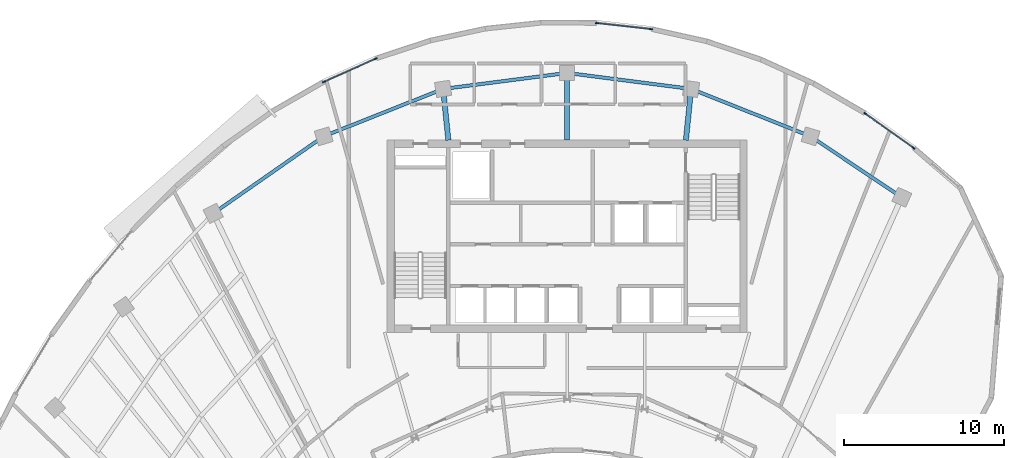
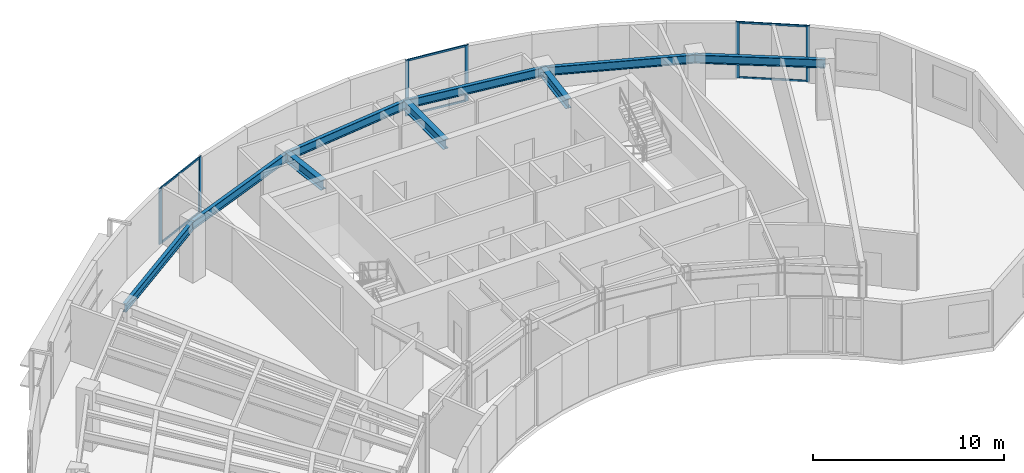
# One storey, part 4 of 12: 12 members, 9 beams, 3 elements without a shape of their own.
"""IFC4 building model written with IfcOpenShell, lengths in metres."""

from ifc_helpers import new_model, si_unit, direction, frame, origin, origin_2d, place, context, subcontext, project, spatial, rectangle, i_section, extrude, source, transform, mapped, material, layer, layer_set, material_profile, profile_set, type_object, element, aggregate, save


model = new_model("IFC4")

# Units and contexts
model_context = context("Model", 3, precision=1e-05, world=origin(), true_north=direction((0.0, 1.0)))
body_context = subcontext(model_context, "Body", "Model", "MODEL_VIEW")
ifc_project = project(units=[si_unit("LENGTHUNIT", "METRE"), si_unit("AREAUNIT", "SQUARE_METRE"), si_unit("VOLUMEUNIT", "CUBIC_METRE"), si_unit("PLANEANGLEUNIT", "RADIAN"), si_unit("MASSUNIT", "GRAM", prefix="KILO")], contexts=[model_context])

# Site, building, storey
site_placement = place(None, origin())
site = spatial("IfcSite", under=ifc_project, at=site_placement, CompositionType="ELEMENT")
building_placement = place(site_placement, origin())
building = spatial("IfcBuilding", under=site, at=building_placement, Name="Breltana Convention Tower", CompositionType="ELEMENT")
storey_placement = place(building_placement, frame((0.0, 0.0, 250.800048828125)))
storey = spatial("IfcBuildingStorey", under=building, at=storey_placement, Name="L61", CompositionType="ELEMENT", Elevation=250.800048828125)

# Beams
ifc_material_1 = material(Name="Steel ASTM A992 Grade 50", Category="steel")
ifc_material_profile_1 = material_profile(ifc_material_1, i_section(OverallWidth=0.326904296875, OverallDepth=0.6220703125, WebThickness=0.015380859375, FlangeThickness=0.0244140625, at=origin_2d()), Name="W24X131")
ifc_profile_set_1 = profile_set([ifc_material_profile_1], Name="Steel ASTM A992 Grade 50")
beam_type_1 = type_object("IfcBeamType", Name="BM-RG-W24X131", PredefinedType="USERDEFINED", material=ifc_profile_set_1)
shared_shape_1 = source(origin(), body_context, "Body", "SweptSolid", [
    extrude(i_section(OverallWidth=0.326904296875, OverallDepth=0.6220703125, WebThickness=0.015380859375, FlangeThickness=0.0244140625, at=origin_2d()), origin(), (0.0, 0.0, 1.0), 3.220947265625),
])
for number, where, z_axis, x_axis, name in (
    (1, (40.580078125, 72.199951171875, 3.26904296875), (-0.101492254858, 0.994836329355, 0.0), (-0.994836329355, -0.101492254858, 0.0), "L61 North Core Radial Girder R05"),
    (2, (55.419921875, 72.199951171875, 3.26904296875), (0.101492254858, 0.994836329355, 0.0), (-0.994836329355, 0.101492254858, 0.0), "L61 North Core Radial Girder R07"),
):
    element("IfcBeam", number, at=place(storey_placement, frame(where, z_axis=z_axis, x_axis=x_axis)), inside=storey, type_object=beam_type_1, Name=name, ObjectType="GIRDER", PredefinedType="USERDEFINED", context=body_context, shape_type="MappedRepresentation", body=[
        mapped(shared_shape_1, transform((0.0, 0.0, 0.0), scale=1.0)),
    ])
shared_shape_2 = source(origin(), body_context, "Body", "SweptSolid", [
    extrude(i_section(OverallWidth=0.326904296875, OverallDepth=0.6220703125, WebThickness=0.015380859375, FlangeThickness=0.0244140625, at=origin_2d()), origin(), (0.0, 0.0, 1.0), 4.2041015625),
])
beam_1_placement = place(storey_placement, frame((48.0, 72.199951171875, 3.26904296875), z_axis=(0.0, 1.0, 0.0), x_axis=(-1.0, 0.0, 0.0)))
element("IfcBeam", 3, at=beam_1_placement, inside=storey, type_object=beam_type_1, Name="L61 North Core Radial Girder R06", ObjectType="GIRDER", PredefinedType="USERDEFINED", context=body_context, shape_type="MappedRepresentation", body=[
    mapped(shared_shape_2, transform((0.0, 0.0, 0.0), scale=1.0)),
])
ifc_material_profile_2 = material_profile(ifc_material_1, i_section(OverallWidth=0.214111328125, OverallDepth=0.549072265625, WebThickness=0.0146484375, FlangeThickness=0.023681640625, at=origin_2d()), Name="W21X93")
ifc_profile_set_2 = profile_set([ifc_material_profile_2], Name="Steel ASTM A992 Grade 50")
beam_type_2 = type_object("IfcBeamType", Name="BM-SP-W21X93", PredefinedType="SPANDREL", material=ifc_profile_set_2)
shared_shape_3 = source(origin(), body_context, "Body", "SweptSolid", [
    extrude(i_section(OverallWidth=0.214111328125, OverallDepth=0.549072265625, WebThickness=0.0146484375, FlangeThickness=0.023681640625, at=origin_2d()), origin(), (0.0, 0.0, 1.0), 8.4169921875),
])
beam_2_placement = place(storey_placement, frame((25.8876953125, 67.626953125, 3.305419921875), z_axis=(0.820173800102, 0.572114444519, 0.0), x_axis=(-0.572114444519, 0.820173800102, 0.0)))
element("IfcBeam", 4, at=beam_2_placement, inside=storey, type_object=beam_type_2, Name="L61 Outer Spandrel Beam 03", PredefinedType="SPANDREL", context=body_context, shape_type="MappedRepresentation", body=[
    mapped(shared_shape_3, transform((0.0, 0.0, 0.0), scale=1.0)),
])
shared_shape_4 = source(origin(), body_context, "Body", "SweptSolid", [
    extrude(i_section(OverallWidth=0.214111328125, OverallDepth=0.549072265625, WebThickness=0.0146484375, FlangeThickness=0.023681640625, at=origin_2d()), origin(), (0.0, 0.0, 1.0), 8.028564453125),
])
for number, where, z_axis, x_axis, name in (
    (5, (32.791015625, 72.4423828125, 3.305419921875), (0.929459100394, 0.368925169507, 0.0), (-0.368925169507, 0.929459100394, 0.0), "L61 Outer Spandrel Beam 04"),
    (6, (55.746826171875, 75.404296875, 3.305419921875), (0.929459100394, -0.368925169507, 0.0), (0.368925169507, 0.929459100394, 0.0), "L61 Outer Spandrel Beam 07"),
):
    element("IfcBeam", number, at=place(storey_placement, frame(where, z_axis=z_axis, x_axis=x_axis)), inside=storey, type_object=beam_type_2, Name=name, PredefinedType="SPANDREL", context=body_context, shape_type="MappedRepresentation", body=[
        mapped(shared_shape_4, transform((0.0, 0.0, 0.0), scale=1.0)),
    ])
shared_shape_5 = source(origin(), body_context, "Body", "SweptSolid", [
    extrude(i_section(OverallWidth=0.214111328125, OverallDepth=0.549072265625, WebThickness=0.0146484375, FlangeThickness=0.023681640625, at=origin_2d()), origin(), (0.0, 0.0, 1.0), 7.81103515625),
])
for number, where, z_axis, x_axis, name in (
    (7, (40.253173828125, 75.404296875, 3.305419921875), (0.991775179127, 0.127992164083, 0.0), (-0.127992164083, 0.991775179127, 0.0), "L61 Outer Spandrel Beam 05"),
    (8, (48.0, 76.404052734375, 3.305419921875), (0.991775179127, -0.127992164083, 0.0), (0.127992164083, 0.991775179127, 0.0), "L61 Outer Spandrel Beam 06"),
):
    element("IfcBeam", number, at=place(storey_placement, frame(where, z_axis=z_axis, x_axis=x_axis)), inside=storey, type_object=beam_type_2, Name=name, PredefinedType="SPANDREL", context=body_context, shape_type="MappedRepresentation", body=[
        mapped(shared_shape_5, transform((0.0, 0.0, 0.0), scale=1.0)),
    ])
shared_shape_6 = source(origin(), body_context, "Body", "SweptSolid", [
    extrude(i_section(OverallWidth=0.214111328125, OverallDepth=0.549072265625, WebThickness=0.0146484375, FlangeThickness=0.023681640625, at=origin_2d()), origin(), (0.0, 0.0, 1.0), 6.856689453125),
])
beam_3_placement = place(storey_placement, frame((63.208984375, 72.4423828125, 3.305419921875), z_axis=(0.83150210718, -0.55552159792, 0.0), x_axis=(0.55552159792, 0.83150210718, 0.0)))
element("IfcBeam", 9, at=beam_3_placement, inside=storey, type_object=beam_type_2, Name="L61 Outer Spandrel Beam 08", PredefinedType="SPANDREL", context=body_context, shape_type="MappedRepresentation", body=[
    mapped(shared_shape_6, transform((0.0, 0.0, 0.0), scale=1.0)),
])

# Curtain wall, members
ifc_material_2 = material(Name="Aluminium Anodised Bronze Frame", Category="aluminium")
ifc_layer = layer(ifc_material_2, 0.219970703125, Name="Aluminium Anodised Bronze Frame")
ifc_layer_set = layer_set([ifc_layer], Name="Aluminium Anodised Bronze Frame")
curtain_wall_type = type_object("IfcCurtainWallType", Name="CW-SYS-4", PredefinedType="NOTDEFINED", material=ifc_layer_set)
curtain_wall_1_placement = place(storey_placement, origin())
curtain_wall_1 = element("IfcCurtainWall", 10, at=curtain_wall_1_placement, inside=storey, type_object=curtain_wall_type, Name="L61 outer double-skin inner glazing 3", PredefinedType="NOTDEFINED")
ifc_material_3 = material(Name="Aluminium Anodised Bronze", Category="aluminium")
ifc_material_profile_3 = material_profile(ifc_material_3, rectangle(XDim=0.070068359375, YDim=0.1201171875, at=origin_2d()), Name="CWT-70X120")
ifc_profile_set_3 = profile_set([ifc_material_profile_3], Name="Aluminium Anodised Bronze")
member_type_1 = type_object("IfcMemberType", Name="CWT-120", PredefinedType="USERDEFINED", material=ifc_profile_set_3)
shared_shape_7 = source(origin(), body_context, "Body", "SweptSolid", [
    extrude(rectangle(XDim=0.070068359375, YDim=0.1201171875, at=origin_2d()), origin(), (0.0, 0.0, 1.0), 3.45556640625),
])
member_1_placement = place(storey_placement, frame((32.849609375, 75.862060546875, 0.034912109375), z_axis=(0.912727440204, 0.408568990378, 0.0), x_axis=(-0.408568990378, 0.912727440204, 0.0)))
member_1 = element("IfcMember", 11, at=member_1_placement, type_object=member_type_1, Name="CW-04 transom 1.1", ObjectType="TRANSOM", PredefinedType="USERDEFINED", context=body_context, shape_type="MappedRepresentation", body=[
    mapped(shared_shape_7, transform((0.0, 0.0, 0.0), scale=1.0)),
])
member_2_placement = place(storey_placement, frame((32.849609375, 75.862060546875, 3.544921875), z_axis=(0.912727440204, 0.408568990378, 0.0), x_axis=(-0.408568990378, 0.912727440204, 0.0)))
member_2 = element("IfcMember", 12, at=member_2_placement, type_object=member_type_1, Name="CW-04 transom 1.2", ObjectType="TRANSOM", PredefinedType="USERDEFINED", context=body_context, shape_type="MappedRepresentation", body=[
    mapped(shared_shape_7, transform((0.0, 0.0, 0.0), scale=1.0)),
])

curtain_wall_2_placement = place(storey_placement, origin())
curtain_wall_2 = element("IfcCurtainWall", 13, at=curtain_wall_2_placement, inside=storey, type_object=curtain_wall_type, Name="L61 outer double-skin inner glazing 4", PredefinedType="NOTDEFINED")
shared_shape_8 = source(origin(), body_context, "Body", "SweptSolid", [
    extrude(rectangle(XDim=0.070068359375, YDim=0.1201171875, at=origin_2d()), origin(), (0.0, 0.0, 1.0), 3.3271484375),
])
member_3_placement = place(storey_placement, frame((49.91162109375, 79.51220703125, 0.034912109375), z_axis=(0.993793018405, -0.111244939519, 0.0), x_axis=(0.111244939519, 0.993793018405, 0.0)))
member_3 = element("IfcMember", 14, at=member_3_placement, type_object=member_type_1, Name="CW-04 transom 1.1", ObjectType="TRANSOM", PredefinedType="USERDEFINED", context=body_context, shape_type="MappedRepresentation", body=[
    mapped(shared_shape_8, transform((0.0, 0.0, 0.0), scale=1.0)),
])
member_4_placement = place(storey_placement, frame((49.91162109375, 79.51220703125, 3.544921875), z_axis=(0.993793018405, -0.111244939519, 0.0), x_axis=(0.111244939519, 0.993793018405, 0.0)))
member_4 = element("IfcMember", 15, at=member_4_placement, type_object=member_type_1, Name="CW-04 transom 1.2", ObjectType="TRANSOM", PredefinedType="USERDEFINED", context=body_context, shape_type="MappedRepresentation", body=[
    mapped(shared_shape_8, transform((0.0, 0.0, 0.0), scale=1.0)),
])

curtain_wall_3_placement = place(storey_placement, origin())
curtain_wall_3 = element("IfcCurtainWall", 16, at=curtain_wall_3_placement, inside=storey, type_object=curtain_wall_type, Name="L61 outer double-skin inner glazing 5", PredefinedType="NOTDEFINED")
shared_shape_9 = source(origin(), body_context, "Body", "SweptSolid", [
    extrude(rectangle(XDim=0.070068359375, YDim=0.1201171875, at=origin_2d()), origin(), (0.0, 0.0, 1.0), 3.614990234375),
])
member_5_placement = place(storey_placement, frame((66.658203125, 73.8427734375, 0.034912109375), z_axis=(0.814139397684, -0.580669476672, 0.0), x_axis=(0.580669476672, 0.814139397684, 0.0)))
member_5 = element("IfcMember", 17, at=member_5_placement, type_object=member_type_1, Name="CW-04 transom 1.1", ObjectType="TRANSOM", PredefinedType="USERDEFINED", context=body_context, shape_type="MappedRepresentation", body=[
    mapped(shared_shape_9, transform((0.0, 0.0, 0.0), scale=1.0)),
])
member_6_placement = place(storey_placement, frame((66.658203125, 73.8427734375, 3.544921875), z_axis=(0.814139397684, -0.580669476672, 0.0), x_axis=(0.580669476672, 0.814139397684, 0.0)))
member_6 = element("IfcMember", 18, at=member_6_placement, type_object=member_type_1, Name="CW-04 transom 1.2", ObjectType="TRANSOM", PredefinedType="USERDEFINED", context=body_context, shape_type="MappedRepresentation", body=[
    mapped(shared_shape_9, transform((0.0, 0.0, 0.0), scale=1.0)),
])

# Member
ifc_material_profile_4 = material_profile(ifc_material_3, rectangle(XDim=0.080078125, YDim=0.199951171875, at=origin_2d()), Name="CWM-80X200")
ifc_profile_set_4 = profile_set([ifc_material_profile_4], Name="Aluminium Anodised Bronze")
member_type_2 = type_object("IfcMemberType", Name="CWM-200", PredefinedType="MULLION", material=ifc_profile_set_4)
shared_shape_10 = source(origin(), body_context, "Body", "SweptSolid", [
    extrude(rectangle(XDim=0.080078125, YDim=0.199951171875, at=origin_2d()), origin(), (0.0, 0.0, 1.0), 3.579833984375),
])
member_7_placement = place(storey_placement, frame((32.81298828125, 75.845703125, 0.0), z_axis=(0.0, 0.0, 1.0), x_axis=(-0.408605591669, 0.912711055294, 0.0)))
member_7 = element("IfcMember", 19, at=member_7_placement, type_object=member_type_2, Name="CW-04 mullion 1", PredefinedType="MULLION", context=body_context, shape_type="MappedRepresentation", body=[
    mapped(shared_shape_10, transform((0.0, 0.0, 0.0), scale=1.0)),
])

member_8_placement = place(storey_placement, frame((36.040283203125, 77.290283203125, 0.0), z_axis=(0.0, 0.0, 1.0), x_axis=(-0.408605591669, 0.912711055294, 0.0)))
member_8 = element("IfcMember", 20, at=member_8_placement, type_object=member_type_2, Name="CW-04 mullion 2", PredefinedType="MULLION", context=body_context, shape_type="MappedRepresentation", body=[
    mapped(shared_shape_10, transform((0.0, 0.0, 0.0), scale=1.0)),
])

aggregate(curtain_wall_1, [member_7, member_8, member_1, member_2])

member_9_placement = place(storey_placement, frame((49.871826171875, 79.516845703125, 0.0), z_axis=(0.0, 0.0, 1.0), x_axis=(0.111237237409, 0.993793880547, 0.0)))
member_9 = element("IfcMember", 21, at=member_9_placement, type_object=member_type_2, Name="CW-04 mullion 1", PredefinedType="MULLION", context=body_context, shape_type="MappedRepresentation", body=[
    mapped(shared_shape_10, transform((0.0, 0.0, 0.0), scale=1.0)),
])

member_10_placement = place(storey_placement, frame((53.2578125, 79.1376953125, 0.0), z_axis=(0.0, 0.0, 1.0), x_axis=(0.111237237409, 0.993793880547, 0.0)))
member_10 = element("IfcMember", 22, at=member_10_placement, type_object=member_type_2, Name="CW-04 mullion 2", PredefinedType="MULLION", context=body_context, shape_type="MappedRepresentation", body=[
    mapped(shared_shape_10, transform((0.0, 0.0, 0.0), scale=1.0)),
])

aggregate(curtain_wall_2, [member_9, member_10, member_3, member_4])

member_11_placement = place(storey_placement, frame((66.625732421875, 73.865966796875, 0.0), z_axis=(0.0, 0.0, 1.0), x_axis=(0.580661710541, 0.814144936674, 0.0)))
member_11 = element("IfcMember", 23, at=member_11_placement, type_object=member_type_2, Name="CW-04 mullion 1", PredefinedType="MULLION", context=body_context, shape_type="MappedRepresentation", body=[
    mapped(shared_shape_10, transform((0.0, 0.0, 0.0), scale=1.0)),
])

member_12_placement = place(storey_placement, frame((69.634033203125, 71.720458984375, 0.0), z_axis=(0.0, 0.0, 1.0), x_axis=(0.580661710541, 0.814144936674, 0.0)))
member_12 = element("IfcMember", 24, at=member_12_placement, type_object=member_type_2, Name="CW-04 mullion 2", PredefinedType="MULLION", context=body_context, shape_type="MappedRepresentation", body=[
    mapped(shared_shape_10, transform((0.0, 0.0, 0.0), scale=1.0)),
])

aggregate(curtain_wall_3, [member_11, member_12, member_5, member_6])

save(model, "model.ifc")
